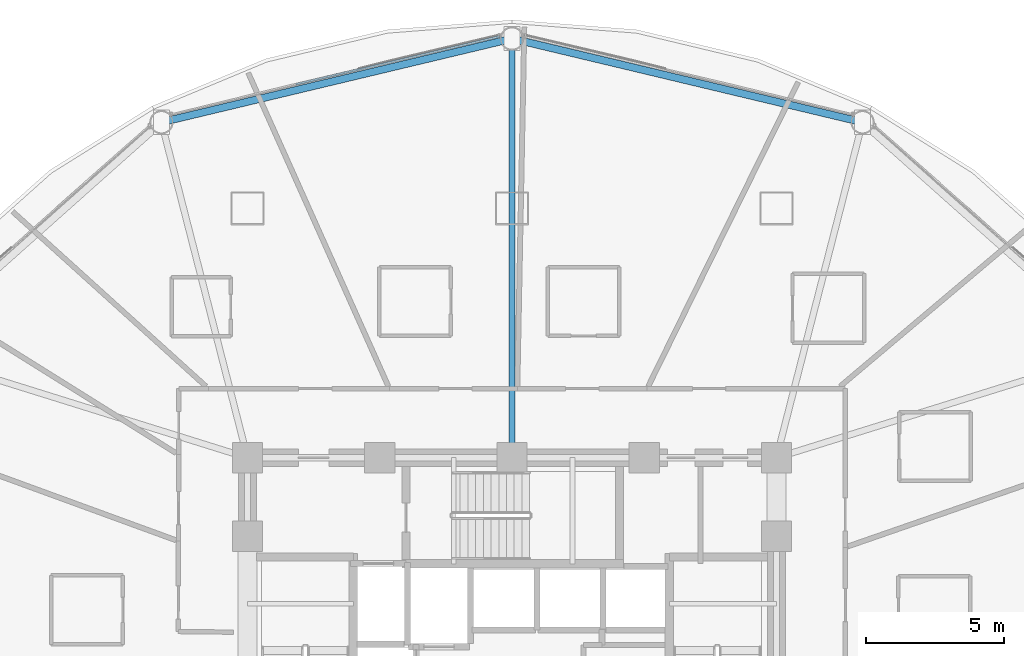
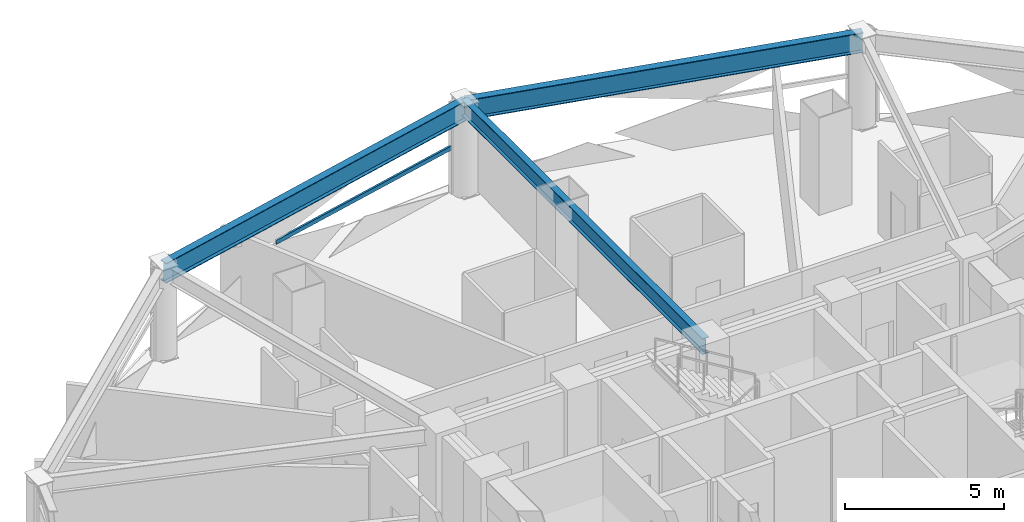
# One storey, part 17 of 31: 3 beams, 1 member, 1 element without a shape of its own.
"""IFC4 building model written with IfcOpenShell, lengths in metres."""

from ifc_helpers import new_model, si_unit, direction, frame, origin, origin_2d, place, context, subcontext, project, spatial, hollow_rectangle, i_section, extrude, material, layer, layer_set, material_profile, profile_set, type_object, element, aggregate, save


model = new_model("IFC4")

# Units and contexts
model_context = context("Model", 3, precision=1e-05, world=origin(), true_north=direction((0.0, 1.0)))
body_context = subcontext(model_context, "Body", "Model", "MODEL_VIEW")
ifc_project = project(units=[si_unit("LENGTHUNIT", "METRE"), si_unit("AREAUNIT", "SQUARE_METRE"), si_unit("VOLUMEUNIT", "CUBIC_METRE"), si_unit("PLANEANGLEUNIT", "RADIAN"), si_unit("MASSUNIT", "GRAM", prefix="KILO")], contexts=[model_context])

# Site, building, storey
site_placement = place(None, origin())
site = spatial("IfcSite", under=ifc_project, at=site_placement, CompositionType="ELEMENT")
building_placement = place(site_placement, origin())
building = spatial("IfcBuilding", under=site, at=building_placement, Name="Vantalir Tower", CompositionType="ELEMENT")
storey_placement = place(building_placement, frame((0.0, 0.0, 30.75)))
storey = spatial("IfcBuildingStorey", under=building, at=storey_placement, Name="L06", CompositionType="ELEMENT", Elevation=30.75)

# Beams
ifc_material_1 = material(Name="Steel S355", Category="steel")
ifc_material_profile_1 = material_profile(ifc_material_1, i_section(OverallWidth=0.22998046875, OverallDepth=0.616943359375, WebThickness=0.01318359375, FlangeThickness=0.022216796875, at=origin_2d()), Name="Steel S355")
ifc_profile_set_1 = profile_set([ifc_material_profile_1], Name="Steel S355")
beam_type_1 = type_object("IfcBeamType", Name="BM-RB-610x229", PredefinedType="BEAM", material=ifc_profile_set_1)
beam_placement = place(storey_placement, frame((31.5, 47.6640625, 3.261962890625), z_axis=(0.0, -1.0, 0.0), x_axis=(1.0, 0.0, 0.0)))
element("IfcBeam", 1, at=beam_placement, inside=storey, type_object=beam_type_1, Name="L06 Radial Floor Beam 04", PredefinedType="BEAM", context=body_context, shape_type="SweptSolid", body=[
    extrude(i_section(OverallWidth=0.22998046875, OverallDepth=0.616943359375, WebThickness=0.01318359375, FlangeThickness=0.022216796875, at=origin_2d()), origin(), (0.0, 0.0, 1.0), 15.214111328125),
])
ifc_material_2 = material(Name="Steel S460", Category="steel")
ifc_material_profile_2 = material_profile(ifc_material_2, i_section(OverallWidth=0.26806640625, OverallDepth=0.77001953125, WebThickness=0.015625, FlangeThickness=0.025390625, at=origin_2d()), Name="Steel S460")
ifc_profile_set_2 = profile_set([ifc_material_profile_2], Name="Steel S460")
beam_type_2 = type_object("IfcBeamType", Name="BM-RG-762x267", PredefinedType="USERDEFINED", material=ifc_profile_set_2)
for number, where, z_axis, x_axis, name in (
    (2, (44.22509765625, 44.6279296875, 3.18505859375), (-0.972696777879, 0.232079680935, 0.0), (-0.232079680935, -0.972696777879, 0.0), "L06 Circumferential Ring Girder 03"),
    (3, (31.5, 47.6640625, 3.18505859375), (-0.972696777879, -0.232079680935, 0.0), (0.232079680935, -0.972696777879, 0.0), "L06 Circumferential Ring Girder 04"),
):
    element("IfcBeam", number, at=place(storey_placement, frame(where, z_axis=z_axis, x_axis=x_axis)), inside=storey, type_object=beam_type_2, Name=name, ObjectType="GIRDER", PredefinedType="USERDEFINED", context=body_context, shape_type="SweptSolid", body=[
        extrude(i_section(OverallWidth=0.26806640625, OverallDepth=0.77001953125, WebThickness=0.015625, FlangeThickness=0.025390625, at=origin_2d()), origin(), (0.0, 0.0, 1.0), 13.082275390625),
    ])

# Curtain wall, member
ifc_material_3 = material(Name="Champagne-silver PVDF aluminium and double-silver Low-E glass", Category="aluminium")
ifc_layer = layer(ifc_material_3, 0.18994140625)
ifc_layer_set = layer_set([ifc_layer], Name="Champagne-silver PVDF aluminium and double-silver Low-E glass")
curtain_wall_type = type_object("IfcCurtainWallType", Name="CW-DIAMOND-Z1", PredefinedType="USERDEFINED", material=ifc_layer_set)
curtain_wall_placement = place(storey_placement, origin())
curtain_wall = element("IfcCurtainWall", 4, at=curtain_wall_placement, inside=storey, type_object=curtain_wall_type, Name="L06 Quilted Pyramid-Diamond Curtain Wall S04", ObjectType="UNITISED CURTAIN WALL", PredefinedType="USERDEFINED")
ifc_material_4 = material(Name="Champagne-silver PVDF aluminium 6063-T6", Category="aluminium")
ifc_material_profile_3 = material_profile(ifc_material_4, hollow_rectangle(XDim=0.074951171875, YDim=0.159912109375, WallThickness=0.00390625, at=origin_2d()), Name="Champagne-silver PVDF aluminium 6063-T6")
ifc_profile_set_3 = profile_set([ifc_material_profile_3], Name="Champagne-silver PVDF aluminium 6063-T6")
member_type = type_object("IfcMemberType", Name="CWT-160x75", PredefinedType="USERDEFINED", material=ifc_profile_set_3)
member_placement = place(storey_placement, frame((31.04296875, 47.7451171875, 1.784912109375), z_axis=(-0.973346271945, -0.229340434488, 0.0), x_axis=(0.229340434488, -0.973346271945, 0.0)))
member = element("IfcMember", 5, at=member_placement, type_object=member_type, Name="CW-L06-S04 Pyramid Fold Ridge Transom", ObjectType="TRANSOM", PredefinedType="USERDEFINED", context=body_context, shape_type="SweptSolid", body=[
    extrude(hollow_rectangle(XDim=0.074951171875, YDim=0.159912109375, WallThickness=0.00390625, at=origin_2d()), origin(), (0.0, 0.0, 1.0), 7.59228515625),
])
aggregate(curtain_wall, [member])

save(model, "model.ifc")
